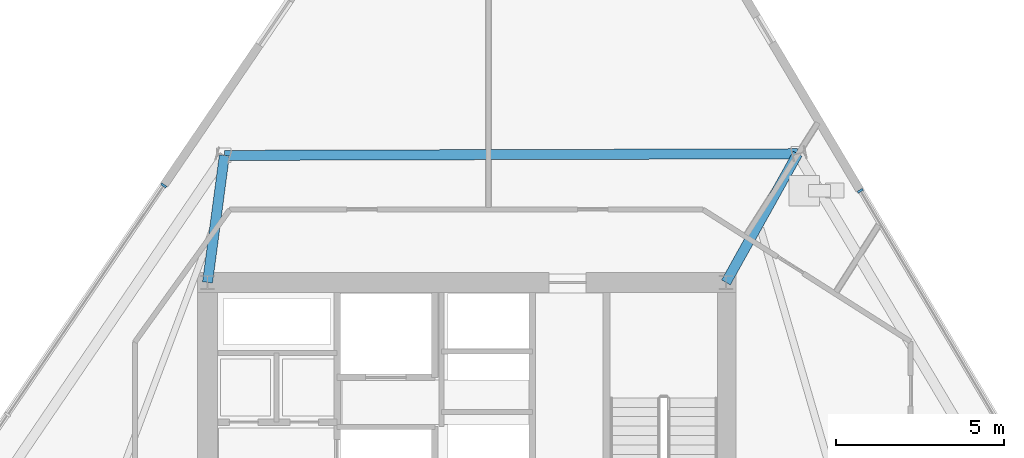
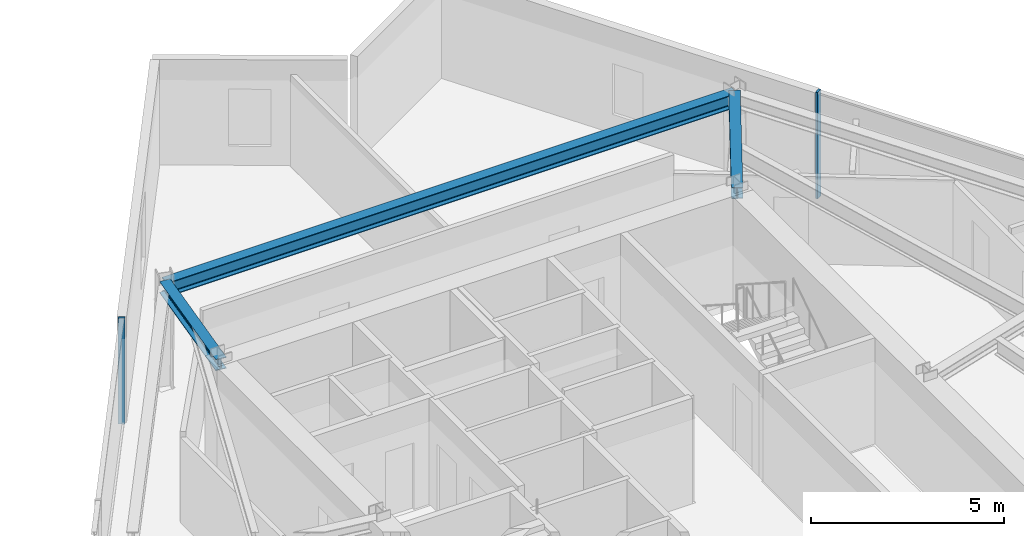
# One storey, part 6 of 15: 3 beams, 2 members, 2 elements without a shape of their own.
"""IFC4 building model written with IfcOpenShell, lengths in metres."""

from ifc_helpers import new_model, si_unit, direction, frame, origin, origin_2d, place, context, subcontext, project, spatial, rectangle, i_section, extrude, material, material_profile, profile_set, type_object, element, aggregate, save


model = new_model("IFC4")

# Units and contexts
model_context = context("Model", 3, precision=1e-05, world=origin(), true_north=direction((0.0, 1.0)))
body_context = subcontext(model_context, "Body", "Model", "MODEL_VIEW")
ifc_project = project(units=[si_unit("LENGTHUNIT", "METRE"), si_unit("AREAUNIT", "SQUARE_METRE"), si_unit("VOLUMEUNIT", "CUBIC_METRE"), si_unit("PLANEANGLEUNIT", "RADIAN"), si_unit("MASSUNIT", "GRAM", prefix="KILO")], contexts=[model_context])

# Site, building, storey
site_placement = place(None, origin())
site = spatial("IfcSite", under=ifc_project, at=site_placement, CompositionType="ELEMENT")
building_placement = place(site_placement, origin())
building = spatial("IfcBuilding", under=site, at=building_placement, Name="Savorim Split Tower", CompositionType="ELEMENT")
storey_placement = place(building_placement, frame((0.0, 0.0, 114.89990234375)))
storey = spatial("IfcBuildingStorey", under=building, at=storey_placement, Name="L30", CompositionType="ELEMENT", Elevation=114.89990234375)

# Beams
ifc_material_1 = material(Name="Steel S355", Category="steel")
ifc_material_profile_1 = material_profile(ifc_material_1, i_section(OverallWidth=0.300048828125, OverallDepth=0.360107421875, WebThickness=0.012451171875, FlangeThickness=0.0224609375, FilletRadius=0.027099609375, at=origin_2d()), Name="HEB 360")
ifc_profile_set_1 = profile_set([ifc_material_profile_1], Name="Steel S355")
beam_type_1 = type_object("IfcBeamType", Name="BM-PRI-HEB360", PredefinedType="BEAM", material=ifc_profile_set_1)
beam_1_placement = place(storey_placement, frame((9.828857421875, 14.021484375, 3.170166015625), z_axis=(-0.48666139333, -0.873590686902, 0.0), x_axis=(0.873590686902, -0.48666139333, 0.0)))
element("IfcBeam", 1, at=beam_1_placement, inside=storey, type_object=beam_type_1, Name="L30 Primary Floor Girder RG-07", PredefinedType="BEAM", context=body_context, shape_type="SweptSolid", body=[
    extrude(i_section(OverallWidth=0.300048828125, OverallDepth=0.360107421875, WebThickness=0.012451171875, FlangeThickness=0.0224609375, FilletRadius=0.027099609375, at=origin_2d()), origin(), (0.0, 0.0, 1.0), 4.37451171875),
])
beam_2_placement = place(storey_placement, frame((-7.19970703125, 13.97265625, 3.170166015625), z_axis=(-0.131445139557, -0.991323446352, 0.0), x_axis=(0.991323446352, -0.131445139557, 0.0)))
element("IfcBeam", 2, at=beam_2_placement, inside=storey, type_object=beam_type_1, Name="L30 Primary Floor Girder RG-08", PredefinedType="BEAM", context=body_context, shape_type="SweptSolid", body=[
    extrude(i_section(OverallWidth=0.300048828125, OverallDepth=0.360107421875, WebThickness=0.012451171875, FlangeThickness=0.0224609375, FilletRadius=0.027099609375, at=origin_2d()), origin(), (0.0, 0.0, 1.0), 3.8056640625),
])
ifc_material_profile_2 = material_profile(ifc_material_1, i_section(OverallWidth=0.300048828125, OverallDepth=0.43994140625, WebThickness=0.011474609375, FlangeThickness=0.02099609375, FilletRadius=0.027099609375, at=origin_2d()), Name="HEA 450")
ifc_profile_set_2 = profile_set([ifc_material_profile_2], Name="Steel S355")
beam_type_2 = type_object("IfcBeamType", Name="BM-SPN-HEA450", PredefinedType="SPANDREL", material=ifc_profile_set_2)
beam_3_placement = place(storey_placement, frame((9.828857421875, 14.021484375, 3.130126953125), z_axis=(-0.999995888963, -0.002867412834, 0.0), x_axis=(0.002867412834, -0.999995888963, 0.0)))
element("IfcBeam", 3, at=beam_3_placement, inside=storey, type_object=beam_type_2, Name="L30 Perimeter Spandrel Beam 7", PredefinedType="SPANDREL", context=body_context, shape_type="SweptSolid", body=[
    extrude(i_section(OverallWidth=0.300048828125, OverallDepth=0.43994140625, WebThickness=0.011474609375, FlangeThickness=0.02099609375, FilletRadius=0.027099609375, at=origin_2d()), origin(), (0.0, 0.0, 1.0), 17.028564453125),
])

# Curtain wall, member
ifc_material_2 = material(Name="Dark Ceramic-Fritted Insulated Glass", Category="glass")
curtain_wall_type = type_object("IfcCurtainWallType", Name="CW-TWR-FRIT-A", PredefinedType="NOTDEFINED", material=ifc_material_2)
curtain_wall_1_placement = place(storey_placement, origin())
curtain_wall_1 = element("IfcCurtainWall", 4, at=curtain_wall_1_placement, inside=storey, type_object=curtain_wall_type, Name="L30 Curtain Wall CW-L30-EAST", PredefinedType="NOTDEFINED")
ifc_material_3 = material(Name="Charcoal Anodised Aluminium", Category="aluminium")
ifc_material_profile_3 = material_profile(ifc_material_3, rectangle(XDim=0.179931640625, YDim=0.06494140625, at=origin_2d()), Name="ALU-M 180x65")
ifc_profile_set_3 = profile_set([ifc_material_profile_3], Name="Charcoal Anodised Aluminium")
member_type = type_object("IfcMemberType", Name="CWM-180x65", PredefinedType="MULLION", material=ifc_profile_set_3)
member_1_placement = place(storey_placement, frame((11.690185546875, 12.921630859375, 0.0), z_axis=(0.0, 0.0, 1.0), x_axis=(-0.859525409745, -0.51109301502, 0.0)))
member_1 = element("IfcMember", 5, at=member_1_placement, type_object=member_type, Name="CW-02 mullion 5", PredefinedType="MULLION", context=body_context, shape_type="SweptSolid", body=[
    extrude(rectangle(XDim=0.179931640625, YDim=0.06494140625, at=origin_2d()), origin(), (0.0, 0.0, 1.0), 3.35009765625),
])
aggregate(curtain_wall_1, [member_1])

curtain_wall_2_placement = place(storey_placement, origin())
curtain_wall_2 = element("IfcCurtainWall", 6, at=curtain_wall_2_placement, inside=storey, type_object=curtain_wall_type, Name="L30 Curtain Wall CW-L30-WEST", PredefinedType="NOTDEFINED")
member_2_placement = place(storey_placement, frame((-9.002197265625, 13.08154296875, 0.0), z_axis=(0.0, 0.0, 1.0), x_axis=(0.826819959579, -0.562466669628, 0.0)))
member_2 = element("IfcMember", 7, at=member_2_placement, type_object=member_type, Name="CW-02 mullion 1", PredefinedType="MULLION", context=body_context, shape_type="SweptSolid", body=[
    extrude(rectangle(XDim=0.179931640625, YDim=0.06494140625, at=origin_2d()), origin(), (0.0, 0.0, 1.0), 3.35009765625),
])
aggregate(curtain_wall_2, [member_2])

save(model, "model.ifc")
